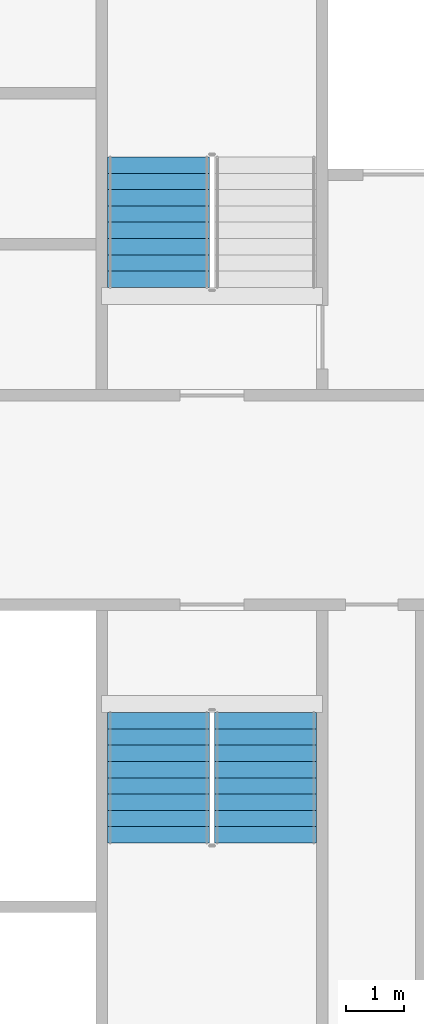
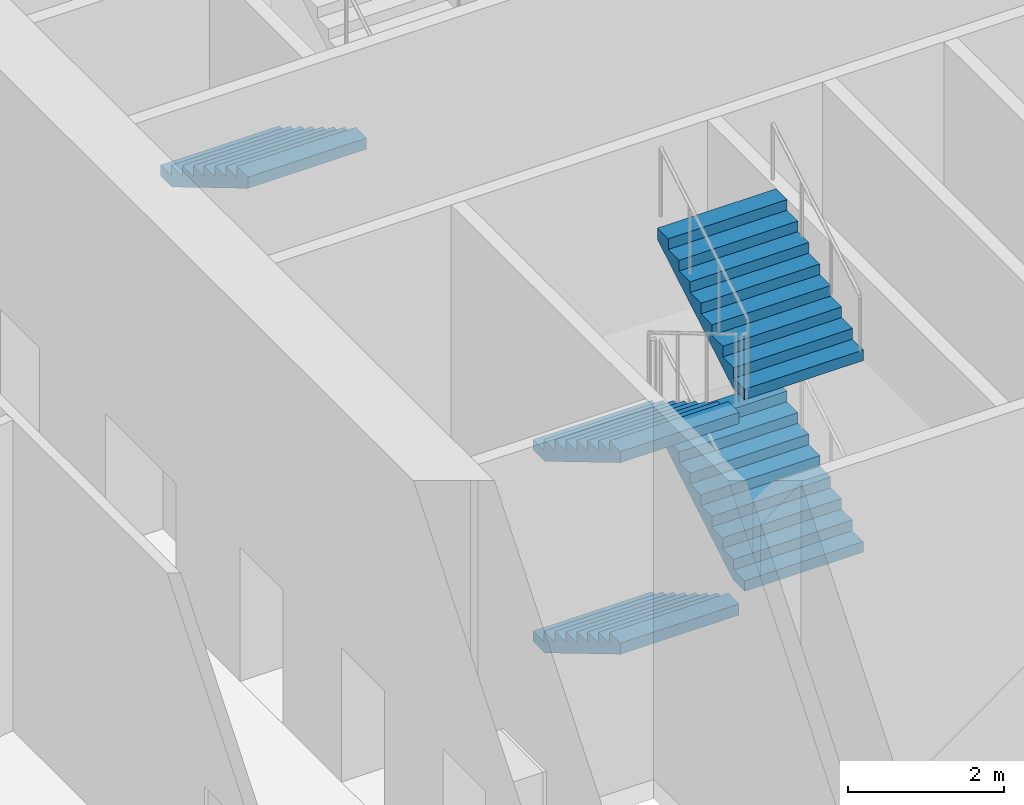
# One storey, part 30 of 39: 5 stair flights, 2 elements without a shape of their own.
"""IFC4 building model written with IfcOpenShell, lengths in metres."""

from ifc_helpers import new_model, si_unit, direction, frame, origin, place, context, subcontext, project, spatial, faceted_brep, material, type_object, element, aggregate, save


model = new_model("IFC4")

# Units and contexts
model_context = context("Model", 3, precision=1e-05, world=origin(), true_north=direction((0.0, 1.0)))
body_context = subcontext(model_context, "Body", "Model", "MODEL_VIEW")
ifc_project = project(units=[si_unit("LENGTHUNIT", "METRE"), si_unit("AREAUNIT", "SQUARE_METRE"), si_unit("VOLUMEUNIT", "CUBIC_METRE"), si_unit("PLANEANGLEUNIT", "RADIAN"), si_unit("MASSUNIT", "GRAM", prefix="KILO")], contexts=[model_context])

# Site, building, storey
site_placement = place(None, origin())
site = spatial("IfcSite", under=ifc_project, at=site_placement, CompositionType="ELEMENT")
building_placement = place(site_placement, origin())
building = spatial("IfcBuilding", under=site, at=building_placement, Name="Tarsis Ring Headquarters", CompositionType="ELEMENT")
storey_placement = place(building_placement, frame((0.0, 0.0, 86.800048828125)))
storey = spatial("IfcBuildingStorey", under=building, at=storey_placement, Name="L19", CompositionType="ELEMENT", Elevation=86.800048828125)

# Stair, stair flight
ifc_material_1 = material(Name="Core stair 1760")
stair_type = type_object("IfcStairType", Name="Core stair 1760", PredefinedType="HALF_TURN_STAIR", material=ifc_material_1)
stair_1_placement = place(storey_placement, origin())
stair_1 = element("IfcStair", 1, at=stair_1_placement, inside=storey, type_object=stair_type, Name="L19 Firefighting stair", PredefinedType="HALF_TURN_STAIR")
ifc_material_2 = material(Name="Concrete C40/50", Category="concrete")
stair_flight_type = type_object("IfcStairFlightType", Name="Core stair flight 1760", PredefinedType="STRAIGHT", material=ifc_material_2)
stair_flight_1_placement = place(storey_placement, frame((-5.419921875, 5.89990234375, 1.5), z_axis=(0.0, 0.0, 1.0), x_axis=(0.0, -1.0, 0.0)))
stair_flight_1 = element("IfcStairFlight", 2, at=stair_flight_1_placement, type_object=stair_flight_type, Name="Stair ST1 flight 2", NumberOfRisers=9, NumberOfTreads=8, PredefinedType="STRAIGHT", RiserHeight=0.166666667, TreadLength=0.28, context=body_context, shape_type="Brep", body=[
    faceted_brep([(0.0, 0.8798828125, 0.0), (0.0, 0.8798828125, 0.166748046875), (0.280029296875, 0.8798828125, 0.166748046875), (0.280029296875, 0.8798828125, 0.333251953125), (0.56005859375, 0.8798828125, 0.333251953125), (0.56005859375, 0.8798828125, 0.5), (0.840087890625, 0.8798828125, 0.5), (0.840087890625, 0.8798828125, 0.666748046875), (1.1201171875, 0.8798828125, 0.666748046875), (1.1201171875, 0.8798828125, 0.833251953125), (1.39990234375, 0.8798828125, 0.833251953125), (1.39990234375, 0.8798828125, 1.0), (1.679931640625, 0.8798828125, 1.0), (1.679931640625, 0.8798828125, 1.166748046875), (1.9599609375, 0.8798828125, 1.166748046875), (1.9599609375, 0.8798828125, 1.333251953125), (2.239990234375, 0.8798828125, 1.333251953125), (2.239990234375, 0.8798828125, 1.158935546875), (0.29296875, 0.8798828125, 0.0), (0.29296875, -0.8798828125, 0.0), (2.239990234375, -0.8798828125, 1.158935546875), (2.239990234375, -0.8798828125, 1.333251953125), (1.9599609375, -0.8798828125, 1.333251953125), (1.9599609375, -0.8798828125, 1.166748046875), (1.679931640625, -0.8798828125, 1.166748046875), (1.679931640625, -0.8798828125, 1.0), (1.39990234375, -0.8798828125, 1.0), (1.39990234375, -0.8798828125, 0.833251953125), (1.1201171875, -0.8798828125, 0.833251953125), (1.1201171875, -0.8798828125, 0.666748046875), (0.840087890625, -0.8798828125, 0.666748046875), (0.840087890625, -0.8798828125, 0.5), (0.56005859375, -0.8798828125, 0.5), (0.56005859375, -0.8798828125, 0.333251953125), (0.280029296875, -0.8798828125, 0.333251953125), (0.280029296875, -0.8798828125, 0.166748046875), (0.0, -0.8798828125, 0.166748046875), (0.0, -0.8798828125, 0.0), (0.0, -0.43994140625, 0.166748046875), (0.0, -0.43994140625, 0.0), (0.0, 0.0, 0.166748046875), (0.0, 0.0, 0.0), (0.0, 0.43994140625, 0.166748046875), (0.0, 0.43994140625, 0.0), (0.280029296875, -0.43994140625, 0.166748046875), (0.280029296875, 0.0, 0.166748046875), (0.280029296875, 0.43994140625, 0.166748046875), (0.280029296875, -0.43994140625, 0.333251953125), (0.280029296875, 0.0, 0.333251953125), (0.280029296875, 0.43994140625, 0.333251953125), (0.56005859375, -0.43994140625, 0.333251953125), (0.56005859375, 0.0, 0.333251953125), (0.56005859375, 0.43994140625, 0.333251953125), (0.56005859375, -0.43994140625, 0.5), (0.56005859375, 0.0, 0.5), (0.56005859375, 0.43994140625, 0.5), (0.840087890625, -0.43994140625, 0.5), (0.840087890625, 0.0, 0.5), (0.840087890625, 0.43994140625, 0.5), (0.840087890625, -0.43994140625, 0.666748046875), (0.840087890625, 0.0, 0.666748046875), (0.840087890625, 0.43994140625, 0.666748046875), (1.1201171875, -0.43994140625, 0.666748046875), (1.1201171875, 0.0, 0.666748046875), (1.1201171875, 0.43994140625, 0.666748046875), (1.1201171875, -0.43994140625, 0.833251953125), (1.1201171875, 0.0, 0.833251953125), (1.1201171875, 0.43994140625, 0.833251953125), (1.39990234375, -0.43994140625, 0.833251953125), (1.39990234375, 0.0, 0.833251953125), (1.39990234375, 0.43994140625, 0.833251953125), (1.39990234375, -0.43994140625, 1.0), (1.39990234375, 0.0, 1.0), (1.39990234375, 0.43994140625, 1.0), (1.679931640625, -0.43994140625, 1.0), (1.679931640625, 0.0, 1.0), (1.679931640625, 0.43994140625, 1.0), (1.679931640625, -0.43994140625, 1.166748046875), (1.679931640625, 0.0, 1.166748046875), (1.679931640625, 0.43994140625, 1.166748046875), (1.9599609375, -0.43994140625, 1.166748046875), (1.9599609375, 0.0, 1.166748046875), (1.9599609375, 0.43994140625, 1.166748046875), (1.9599609375, -0.43994140625, 1.333251953125), (1.9599609375, 0.0, 1.333251953125), (1.9599609375, 0.43994140625, 1.333251953125), (2.239990234375, -0.43994140625, 1.333251953125), (2.239990234375, 0.0, 1.333251953125), (2.239990234375, 0.43994140625, 1.333251953125), (2.239990234375, -0.43994140625, 1.158935546875), (2.239990234375, 0.0, 1.158935546875), (2.239990234375, 0.43994140625, 1.158935546875), (0.29296875, -0.43994140625, 0.0), (0.29296875, 0.0, 0.0), (0.29296875, 0.43994140625, 0.0)], [[[0, 1, 2, 3, 4, 5, 6, 7, 8, 9, 10, 11, 12, 13, 14, 15, 16, 17, 18]], [[19, 20, 21, 22, 23, 24, 25, 26, 27, 28, 29, 30, 31, 32, 33, 34, 35, 36, 37]], [[37, 36, 38, 39]], [[39, 38, 40, 41]], [[41, 40, 42, 43]], [[43, 42, 1, 0]], [[36, 35, 44, 38]], [[38, 44, 45, 40]], [[40, 45, 46, 42]], [[42, 46, 2, 1]], [[35, 34, 47, 44]], [[44, 47, 48, 45]], [[45, 48, 49, 46]], [[46, 49, 3, 2]], [[34, 33, 50, 47]], [[47, 50, 51, 48]], [[48, 51, 52, 49]], [[49, 52, 4, 3]], [[33, 32, 53, 50]], [[50, 53, 54, 51]], [[51, 54, 55, 52]], [[52, 55, 5, 4]], [[32, 31, 56, 53]], [[53, 56, 57, 54]], [[54, 57, 58, 55]], [[55, 58, 6, 5]], [[31, 30, 59, 56]], [[56, 59, 60, 57]], [[57, 60, 61, 58]], [[58, 61, 7, 6]], [[30, 29, 62, 59]], [[59, 62, 63, 60]], [[60, 63, 64, 61]], [[61, 64, 8, 7]], [[29, 28, 65, 62]], [[62, 65, 66, 63]], [[63, 66, 67, 64]], [[64, 67, 9, 8]], [[28, 27, 68, 65]], [[65, 68, 69, 66]], [[66, 69, 70, 67]], [[67, 70, 10, 9]], [[27, 26, 71, 68]], [[68, 71, 72, 69]], [[69, 72, 73, 70]], [[70, 73, 11, 10]], [[26, 25, 74, 71]], [[71, 74, 75, 72]], [[72, 75, 76, 73]], [[73, 76, 12, 11]], [[25, 24, 77, 74]], [[74, 77, 78, 75]], [[75, 78, 79, 76]], [[76, 79, 13, 12]], [[24, 23, 80, 77]], [[77, 80, 81, 78]], [[78, 81, 82, 79]], [[79, 82, 14, 13]], [[23, 22, 83, 80]], [[80, 83, 84, 81]], [[81, 84, 85, 82]], [[82, 85, 15, 14]], [[22, 21, 86, 83]], [[83, 86, 87, 84]], [[84, 87, 88, 85]], [[85, 88, 16, 15]], [[21, 20, 89, 86]], [[86, 89, 90, 87]], [[87, 90, 91, 88]], [[88, 91, 17, 16]], [[20, 19, 92, 89]], [[89, 92, 93, 90]], [[90, 93, 94, 91]], [[91, 94, 18, 17]], [[19, 37, 39, 92]], [[92, 39, 41, 93]], [[93, 41, 43, 94]], [[94, 43, 0, 18]]]),
])
aggregate(stair_1, [stair_flight_1])

# Stair, stair flights
stair_2_placement = place(storey_placement, origin())
stair_2 = element("IfcStair", 3, at=stair_2_placement, inside=storey, type_object=stair_type, Name="L19 Exit stair C", PredefinedType="HALF_TURN_STAIR")
stair_flight_2_placement = place(storey_placement, frame((-5.419921875, -3.659912109375, 0.0), z_axis=(0.0, 0.0, 1.0), x_axis=(0.0, -1.0, 0.0)))
stair_flight_2 = element("IfcStairFlight", 4, at=stair_flight_2_placement, type_object=stair_flight_type, Name="Stair ST3 flight 1", NumberOfRisers=9, NumberOfTreads=8, PredefinedType="STRAIGHT", RiserHeight=0.166666667, TreadLength=0.28, context=body_context, shape_type="Brep", body=[
    faceted_brep([(0.0, 0.8798828125, 0.0), (0.0, 0.8798828125, 0.166748046875), (0.280029296875, 0.8798828125, 0.166748046875), (0.280029296875, 0.8798828125, 0.333251953125), (0.56005859375, 0.8798828125, 0.333251953125), (0.56005859375, 0.8798828125, 0.5), (0.840087890625, 0.8798828125, 0.5), (0.840087890625, 0.8798828125, 0.666748046875), (1.1201171875, 0.8798828125, 0.666748046875), (1.1201171875, 0.8798828125, 0.833251953125), (1.39990234375, 0.8798828125, 0.833251953125), (1.39990234375, 0.8798828125, 1.0), (1.679931640625, 0.8798828125, 1.0), (1.679931640625, 0.8798828125, 1.166748046875), (1.9599609375, 0.8798828125, 1.166748046875), (1.9599609375, 0.8798828125, 1.333251953125), (2.239990234375, 0.8798828125, 1.333251953125), (2.239990234375, 0.8798828125, 1.158935546875), (0.29296875, 0.8798828125, 0.0), (0.29296875, -0.8798828125, 0.0), (2.239990234375, -0.8798828125, 1.158935546875), (2.239990234375, -0.8798828125, 1.333251953125), (1.9599609375, -0.8798828125, 1.333251953125), (1.9599609375, -0.8798828125, 1.166748046875), (1.679931640625, -0.8798828125, 1.166748046875), (1.679931640625, -0.8798828125, 1.0), (1.39990234375, -0.8798828125, 1.0), (1.39990234375, -0.8798828125, 0.833251953125), (1.1201171875, -0.8798828125, 0.833251953125), (1.1201171875, -0.8798828125, 0.666748046875), (0.840087890625, -0.8798828125, 0.666748046875), (0.840087890625, -0.8798828125, 0.5), (0.56005859375, -0.8798828125, 0.5), (0.56005859375, -0.8798828125, 0.333251953125), (0.280029296875, -0.8798828125, 0.333251953125), (0.280029296875, -0.8798828125, 0.166748046875), (0.0, -0.8798828125, 0.166748046875), (0.0, -0.8798828125, 0.0), (0.0, -0.43994140625, 0.166748046875), (0.0, -0.43994140625, 0.0), (0.0, 0.0, 0.166748046875), (0.0, 0.0, 0.0), (0.0, 0.43994140625, 0.166748046875), (0.0, 0.43994140625, 0.0), (0.280029296875, -0.43994140625, 0.166748046875), (0.280029296875, 0.0, 0.166748046875), (0.280029296875, 0.43994140625, 0.166748046875), (0.280029296875, -0.43994140625, 0.333251953125), (0.280029296875, 0.0, 0.333251953125), (0.280029296875, 0.43994140625, 0.333251953125), (0.56005859375, -0.43994140625, 0.333251953125), (0.56005859375, 0.0, 0.333251953125), (0.56005859375, 0.43994140625, 0.333251953125), (0.56005859375, -0.43994140625, 0.5), (0.56005859375, 0.0, 0.5), (0.56005859375, 0.43994140625, 0.5), (0.840087890625, -0.43994140625, 0.5), (0.840087890625, 0.0, 0.5), (0.840087890625, 0.43994140625, 0.5), (0.840087890625, -0.43994140625, 0.666748046875), (0.840087890625, 0.0, 0.666748046875), (0.840087890625, 0.43994140625, 0.666748046875), (1.1201171875, -0.43994140625, 0.666748046875), (1.1201171875, 0.0, 0.666748046875), (1.1201171875, 0.43994140625, 0.666748046875), (1.1201171875, -0.43994140625, 0.833251953125), (1.1201171875, 0.0, 0.833251953125), (1.1201171875, 0.43994140625, 0.833251953125), (1.39990234375, -0.43994140625, 0.833251953125), (1.39990234375, 0.0, 0.833251953125), (1.39990234375, 0.43994140625, 0.833251953125), (1.39990234375, -0.43994140625, 1.0), (1.39990234375, 0.0, 1.0), (1.39990234375, 0.43994140625, 1.0), (1.679931640625, -0.43994140625, 1.0), (1.679931640625, 0.0, 1.0), (1.679931640625, 0.43994140625, 1.0), (1.679931640625, -0.43994140625, 1.166748046875), (1.679931640625, 0.0, 1.166748046875), (1.679931640625, 0.43994140625, 1.166748046875), (1.9599609375, -0.43994140625, 1.166748046875), (1.9599609375, 0.0, 1.166748046875), (1.9599609375, 0.43994140625, 1.166748046875), (1.9599609375, -0.43994140625, 1.333251953125), (1.9599609375, 0.0, 1.333251953125), (1.9599609375, 0.43994140625, 1.333251953125), (2.239990234375, -0.43994140625, 1.333251953125), (2.239990234375, 0.0, 1.333251953125), (2.239990234375, 0.43994140625, 1.333251953125), (2.239990234375, -0.43994140625, 1.158935546875), (2.239990234375, 0.0, 1.158935546875), (2.239990234375, 0.43994140625, 1.158935546875), (0.29296875, -0.43994140625, 0.0), (0.29296875, 0.0, 0.0), (0.29296875, 0.43994140625, 0.0)], [[[0, 1, 2, 3, 4, 5, 6, 7, 8, 9, 10, 11, 12, 13, 14, 15, 16, 17, 18]], [[19, 20, 21, 22, 23, 24, 25, 26, 27, 28, 29, 30, 31, 32, 33, 34, 35, 36, 37]], [[37, 36, 38, 39]], [[39, 38, 40, 41]], [[41, 40, 42, 43]], [[43, 42, 1, 0]], [[36, 35, 44, 38]], [[38, 44, 45, 40]], [[40, 45, 46, 42]], [[42, 46, 2, 1]], [[35, 34, 47, 44]], [[44, 47, 48, 45]], [[45, 48, 49, 46]], [[46, 49, 3, 2]], [[34, 33, 50, 47]], [[47, 50, 51, 48]], [[48, 51, 52, 49]], [[49, 52, 4, 3]], [[33, 32, 53, 50]], [[50, 53, 54, 51]], [[51, 54, 55, 52]], [[52, 55, 5, 4]], [[32, 31, 56, 53]], [[53, 56, 57, 54]], [[54, 57, 58, 55]], [[55, 58, 6, 5]], [[31, 30, 59, 56]], [[56, 59, 60, 57]], [[57, 60, 61, 58]], [[58, 61, 7, 6]], [[30, 29, 62, 59]], [[59, 62, 63, 60]], [[60, 63, 64, 61]], [[61, 64, 8, 7]], [[29, 28, 65, 62]], [[62, 65, 66, 63]], [[63, 66, 67, 64]], [[64, 67, 9, 8]], [[28, 27, 68, 65]], [[65, 68, 69, 66]], [[66, 69, 70, 67]], [[67, 70, 10, 9]], [[27, 26, 71, 68]], [[68, 71, 72, 69]], [[69, 72, 73, 70]], [[70, 73, 11, 10]], [[26, 25, 74, 71]], [[71, 74, 75, 72]], [[72, 75, 76, 73]], [[73, 76, 12, 11]], [[25, 24, 77, 74]], [[74, 77, 78, 75]], [[75, 78, 79, 76]], [[76, 79, 13, 12]], [[24, 23, 80, 77]], [[77, 80, 81, 78]], [[78, 81, 82, 79]], [[79, 82, 14, 13]], [[23, 22, 83, 80]], [[80, 83, 84, 81]], [[81, 84, 85, 82]], [[82, 85, 15, 14]], [[22, 21, 86, 83]], [[83, 86, 87, 84]], [[84, 87, 88, 85]], [[85, 88, 16, 15]], [[21, 20, 89, 86]], [[86, 89, 90, 87]], [[87, 90, 91, 88]], [[88, 91, 17, 16]], [[20, 19, 92, 89]], [[89, 92, 93, 90]], [[90, 93, 94, 91]], [[91, 94, 18, 17]], [[19, 37, 39, 92]], [[92, 39, 41, 93]], [[93, 41, 43, 94]], [[94, 43, 0, 18]]]),
])
stair_flight_3_placement = place(storey_placement, frame((-3.580078125, -5.89990234375, 1.5), z_axis=(0.0, 0.0, 1.0), x_axis=(0.0, 1.0, 0.0)))
stair_flight_3 = element("IfcStairFlight", 5, at=stair_flight_3_placement, type_object=stair_flight_type, Name="Stair ST3 flight 2", NumberOfRisers=9, NumberOfTreads=8, PredefinedType="STRAIGHT", RiserHeight=0.166666667, TreadLength=0.28, context=body_context, shape_type="Brep", body=[
    faceted_brep([(0.0, 0.8798828125, 0.0), (0.0, 0.8798828125, 0.166748046875), (0.280029296875, 0.8798828125, 0.166748046875), (0.280029296875, 0.8798828125, 0.333251953125), (0.56005859375, 0.8798828125, 0.333251953125), (0.56005859375, 0.8798828125, 0.5), (0.840087890625, 0.8798828125, 0.5), (0.840087890625, 0.8798828125, 0.666748046875), (1.1201171875, 0.8798828125, 0.666748046875), (1.1201171875, 0.8798828125, 0.833251953125), (1.39990234375, 0.8798828125, 0.833251953125), (1.39990234375, 0.8798828125, 1.0), (1.679931640625, 0.8798828125, 1.0), (1.679931640625, 0.8798828125, 1.166748046875), (1.9599609375, 0.8798828125, 1.166748046875), (1.9599609375, 0.8798828125, 1.333251953125), (2.239990234375, 0.8798828125, 1.333251953125), (2.239990234375, 0.8798828125, 1.158935546875), (0.29296875, 0.8798828125, 0.0), (0.29296875, -0.8798828125, 0.0), (2.239990234375, -0.8798828125, 1.158935546875), (2.239990234375, -0.8798828125, 1.333251953125), (1.9599609375, -0.8798828125, 1.333251953125), (1.9599609375, -0.8798828125, 1.166748046875), (1.679931640625, -0.8798828125, 1.166748046875), (1.679931640625, -0.8798828125, 1.0), (1.39990234375, -0.8798828125, 1.0), (1.39990234375, -0.8798828125, 0.833251953125), (1.1201171875, -0.8798828125, 0.833251953125), (1.1201171875, -0.8798828125, 0.666748046875), (0.840087890625, -0.8798828125, 0.666748046875), (0.840087890625, -0.8798828125, 0.5), (0.56005859375, -0.8798828125, 0.5), (0.56005859375, -0.8798828125, 0.333251953125), (0.280029296875, -0.8798828125, 0.333251953125), (0.280029296875, -0.8798828125, 0.166748046875), (0.0, -0.8798828125, 0.166748046875), (0.0, -0.8798828125, 0.0), (0.0, -0.43994140625, 0.166748046875), (0.0, -0.43994140625, 0.0), (0.0, 0.0, 0.166748046875), (0.0, 0.0, 0.0), (0.0, 0.43994140625, 0.166748046875), (0.0, 0.43994140625, 0.0), (0.280029296875, -0.43994140625, 0.166748046875), (0.280029296875, 0.0, 0.166748046875), (0.280029296875, 0.43994140625, 0.166748046875), (0.280029296875, -0.43994140625, 0.333251953125), (0.280029296875, 0.0, 0.333251953125), (0.280029296875, 0.43994140625, 0.333251953125), (0.56005859375, -0.43994140625, 0.333251953125), (0.56005859375, 0.0, 0.333251953125), (0.56005859375, 0.43994140625, 0.333251953125), (0.56005859375, -0.43994140625, 0.5), (0.56005859375, 0.0, 0.5), (0.56005859375, 0.43994140625, 0.5), (0.840087890625, -0.43994140625, 0.5), (0.840087890625, 0.0, 0.5), (0.840087890625, 0.43994140625, 0.5), (0.840087890625, -0.43994140625, 0.666748046875), (0.840087890625, 0.0, 0.666748046875), (0.840087890625, 0.43994140625, 0.666748046875), (1.1201171875, -0.43994140625, 0.666748046875), (1.1201171875, 0.0, 0.666748046875), (1.1201171875, 0.43994140625, 0.666748046875), (1.1201171875, -0.43994140625, 0.833251953125), (1.1201171875, 0.0, 0.833251953125), (1.1201171875, 0.43994140625, 0.833251953125), (1.39990234375, -0.43994140625, 0.833251953125), (1.39990234375, 0.0, 0.833251953125), (1.39990234375, 0.43994140625, 0.833251953125), (1.39990234375, -0.43994140625, 1.0), (1.39990234375, 0.0, 1.0), (1.39990234375, 0.43994140625, 1.0), (1.679931640625, -0.43994140625, 1.0), (1.679931640625, 0.0, 1.0), (1.679931640625, 0.43994140625, 1.0), (1.679931640625, -0.43994140625, 1.166748046875), (1.679931640625, 0.0, 1.166748046875), (1.679931640625, 0.43994140625, 1.166748046875), (1.9599609375, -0.43994140625, 1.166748046875), (1.9599609375, 0.0, 1.166748046875), (1.9599609375, 0.43994140625, 1.166748046875), (1.9599609375, -0.43994140625, 1.333251953125), (1.9599609375, 0.0, 1.333251953125), (1.9599609375, 0.43994140625, 1.333251953125), (2.239990234375, -0.43994140625, 1.333251953125), (2.239990234375, 0.0, 1.333251953125), (2.239990234375, 0.43994140625, 1.333251953125), (2.239990234375, -0.43994140625, 1.158935546875), (2.239990234375, 0.0, 1.158935546875), (2.239990234375, 0.43994140625, 1.158935546875), (0.29296875, -0.43994140625, 0.0), (0.29296875, 0.0, 0.0), (0.29296875, 0.43994140625, 0.0)], [[[0, 1, 2, 3, 4, 5, 6, 7, 8, 9, 10, 11, 12, 13, 14, 15, 16, 17, 18]], [[19, 20, 21, 22, 23, 24, 25, 26, 27, 28, 29, 30, 31, 32, 33, 34, 35, 36, 37]], [[37, 36, 38, 39]], [[39, 38, 40, 41]], [[41, 40, 42, 43]], [[43, 42, 1, 0]], [[36, 35, 44, 38]], [[38, 44, 45, 40]], [[40, 45, 46, 42]], [[42, 46, 2, 1]], [[35, 34, 47, 44]], [[44, 47, 48, 45]], [[45, 48, 49, 46]], [[46, 49, 3, 2]], [[34, 33, 50, 47]], [[47, 50, 51, 48]], [[48, 51, 52, 49]], [[49, 52, 4, 3]], [[33, 32, 53, 50]], [[50, 53, 54, 51]], [[51, 54, 55, 52]], [[52, 55, 5, 4]], [[32, 31, 56, 53]], [[53, 56, 57, 54]], [[54, 57, 58, 55]], [[55, 58, 6, 5]], [[31, 30, 59, 56]], [[56, 59, 60, 57]], [[57, 60, 61, 58]], [[58, 61, 7, 6]], [[30, 29, 62, 59]], [[59, 62, 63, 60]], [[60, 63, 64, 61]], [[61, 64, 8, 7]], [[29, 28, 65, 62]], [[62, 65, 66, 63]], [[63, 66, 67, 64]], [[64, 67, 9, 8]], [[28, 27, 68, 65]], [[65, 68, 69, 66]], [[66, 69, 70, 67]], [[67, 70, 10, 9]], [[27, 26, 71, 68]], [[68, 71, 72, 69]], [[69, 72, 73, 70]], [[70, 73, 11, 10]], [[26, 25, 74, 71]], [[71, 74, 75, 72]], [[72, 75, 76, 73]], [[73, 76, 12, 11]], [[25, 24, 77, 74]], [[74, 77, 78, 75]], [[75, 78, 79, 76]], [[76, 79, 13, 12]], [[24, 23, 80, 77]], [[77, 80, 81, 78]], [[78, 81, 82, 79]], [[79, 82, 14, 13]], [[23, 22, 83, 80]], [[80, 83, 84, 81]], [[81, 84, 85, 82]], [[82, 85, 15, 14]], [[22, 21, 86, 83]], [[83, 86, 87, 84]], [[84, 87, 88, 85]], [[85, 88, 16, 15]], [[21, 20, 89, 86]], [[86, 89, 90, 87]], [[87, 90, 91, 88]], [[88, 91, 17, 16]], [[20, 19, 92, 89]], [[89, 92, 93, 90]], [[90, 93, 94, 91]], [[91, 94, 18, 17]], [[19, 37, 39, 92]], [[92, 39, 41, 93]], [[93, 41, 43, 94]], [[94, 43, 0, 18]]]),
])
stair_flight_4_placement = place(storey_placement, frame((-5.419921875, -3.659912109375, 3.0), z_axis=(0.0, 0.0, 1.0), x_axis=(0.0, -1.0, 0.0)))
stair_flight_4 = element("IfcStairFlight", 6, at=stair_flight_4_placement, type_object=stair_flight_type, Name="Stair ST3 flight 3", NumberOfRisers=9, NumberOfTreads=8, PredefinedType="STRAIGHT", RiserHeight=0.166666667, TreadLength=0.28, context=body_context, shape_type="Brep", body=[
    faceted_brep([(0.0, 0.8798828125, 0.0), (0.0, 0.8798828125, 0.166748046875), (0.280029296875, 0.8798828125, 0.166748046875), (0.280029296875, 0.8798828125, 0.333251953125), (0.56005859375, 0.8798828125, 0.333251953125), (0.56005859375, 0.8798828125, 0.5), (0.840087890625, 0.8798828125, 0.5), (0.840087890625, 0.8798828125, 0.666748046875), (1.1201171875, 0.8798828125, 0.666748046875), (1.1201171875, 0.8798828125, 0.833251953125), (1.39990234375, 0.8798828125, 0.833251953125), (1.39990234375, 0.8798828125, 1.0), (1.679931640625, 0.8798828125, 1.0), (1.679931640625, 0.8798828125, 1.166748046875), (1.9599609375, 0.8798828125, 1.166748046875), (1.9599609375, 0.8798828125, 1.333251953125), (2.239990234375, 0.8798828125, 1.333251953125), (2.239990234375, 0.8798828125, 1.158935546875), (0.29296875, 0.8798828125, 0.0), (0.29296875, -0.8798828125, 0.0), (2.239990234375, -0.8798828125, 1.158935546875), (2.239990234375, -0.8798828125, 1.333251953125), (1.9599609375, -0.8798828125, 1.333251953125), (1.9599609375, -0.8798828125, 1.166748046875), (1.679931640625, -0.8798828125, 1.166748046875), (1.679931640625, -0.8798828125, 1.0), (1.39990234375, -0.8798828125, 1.0), (1.39990234375, -0.8798828125, 0.833251953125), (1.1201171875, -0.8798828125, 0.833251953125), (1.1201171875, -0.8798828125, 0.666748046875), (0.840087890625, -0.8798828125, 0.666748046875), (0.840087890625, -0.8798828125, 0.5), (0.56005859375, -0.8798828125, 0.5), (0.56005859375, -0.8798828125, 0.333251953125), (0.280029296875, -0.8798828125, 0.333251953125), (0.280029296875, -0.8798828125, 0.166748046875), (0.0, -0.8798828125, 0.166748046875), (0.0, -0.8798828125, 0.0), (0.0, -0.43994140625, 0.166748046875), (0.0, -0.43994140625, 0.0), (0.0, 0.0, 0.166748046875), (0.0, 0.0, 0.0), (0.0, 0.43994140625, 0.166748046875), (0.0, 0.43994140625, 0.0), (0.280029296875, -0.43994140625, 0.166748046875), (0.280029296875, 0.0, 0.166748046875), (0.280029296875, 0.43994140625, 0.166748046875), (0.280029296875, -0.43994140625, 0.333251953125), (0.280029296875, 0.0, 0.333251953125), (0.280029296875, 0.43994140625, 0.333251953125), (0.56005859375, -0.43994140625, 0.333251953125), (0.56005859375, 0.0, 0.333251953125), (0.56005859375, 0.43994140625, 0.333251953125), (0.56005859375, -0.43994140625, 0.5), (0.56005859375, 0.0, 0.5), (0.56005859375, 0.43994140625, 0.5), (0.840087890625, -0.43994140625, 0.5), (0.840087890625, 0.0, 0.5), (0.840087890625, 0.43994140625, 0.5), (0.840087890625, -0.43994140625, 0.666748046875), (0.840087890625, 0.0, 0.666748046875), (0.840087890625, 0.43994140625, 0.666748046875), (1.1201171875, -0.43994140625, 0.666748046875), (1.1201171875, 0.0, 0.666748046875), (1.1201171875, 0.43994140625, 0.666748046875), (1.1201171875, -0.43994140625, 0.833251953125), (1.1201171875, 0.0, 0.833251953125), (1.1201171875, 0.43994140625, 0.833251953125), (1.39990234375, -0.43994140625, 0.833251953125), (1.39990234375, 0.0, 0.833251953125), (1.39990234375, 0.43994140625, 0.833251953125), (1.39990234375, -0.43994140625, 1.0), (1.39990234375, 0.0, 1.0), (1.39990234375, 0.43994140625, 1.0), (1.679931640625, -0.43994140625, 1.0), (1.679931640625, 0.0, 1.0), (1.679931640625, 0.43994140625, 1.0), (1.679931640625, -0.43994140625, 1.166748046875), (1.679931640625, 0.0, 1.166748046875), (1.679931640625, 0.43994140625, 1.166748046875), (1.9599609375, -0.43994140625, 1.166748046875), (1.9599609375, 0.0, 1.166748046875), (1.9599609375, 0.43994140625, 1.166748046875), (1.9599609375, -0.43994140625, 1.333251953125), (1.9599609375, 0.0, 1.333251953125), (1.9599609375, 0.43994140625, 1.333251953125), (2.239990234375, -0.43994140625, 1.333251953125), (2.239990234375, 0.0, 1.333251953125), (2.239990234375, 0.43994140625, 1.333251953125), (2.239990234375, -0.43994140625, 1.158935546875), (2.239990234375, 0.0, 1.158935546875), (2.239990234375, 0.43994140625, 1.158935546875), (0.29296875, -0.43994140625, 0.0), (0.29296875, 0.0, 0.0), (0.29296875, 0.43994140625, 0.0)], [[[0, 1, 2, 3, 4, 5, 6, 7, 8, 9, 10, 11, 12, 13, 14, 15, 16, 17, 18]], [[19, 20, 21, 22, 23, 24, 25, 26, 27, 28, 29, 30, 31, 32, 33, 34, 35, 36, 37]], [[37, 36, 38, 39]], [[39, 38, 40, 41]], [[41, 40, 42, 43]], [[43, 42, 1, 0]], [[36, 35, 44, 38]], [[38, 44, 45, 40]], [[40, 45, 46, 42]], [[42, 46, 2, 1]], [[35, 34, 47, 44]], [[44, 47, 48, 45]], [[45, 48, 49, 46]], [[46, 49, 3, 2]], [[34, 33, 50, 47]], [[47, 50, 51, 48]], [[48, 51, 52, 49]], [[49, 52, 4, 3]], [[33, 32, 53, 50]], [[50, 53, 54, 51]], [[51, 54, 55, 52]], [[52, 55, 5, 4]], [[32, 31, 56, 53]], [[53, 56, 57, 54]], [[54, 57, 58, 55]], [[55, 58, 6, 5]], [[31, 30, 59, 56]], [[56, 59, 60, 57]], [[57, 60, 61, 58]], [[58, 61, 7, 6]], [[30, 29, 62, 59]], [[59, 62, 63, 60]], [[60, 63, 64, 61]], [[61, 64, 8, 7]], [[29, 28, 65, 62]], [[62, 65, 66, 63]], [[63, 66, 67, 64]], [[64, 67, 9, 8]], [[28, 27, 68, 65]], [[65, 68, 69, 66]], [[66, 69, 70, 67]], [[67, 70, 10, 9]], [[27, 26, 71, 68]], [[68, 71, 72, 69]], [[69, 72, 73, 70]], [[70, 73, 11, 10]], [[26, 25, 74, 71]], [[71, 74, 75, 72]], [[72, 75, 76, 73]], [[73, 76, 12, 11]], [[25, 24, 77, 74]], [[74, 77, 78, 75]], [[75, 78, 79, 76]], [[76, 79, 13, 12]], [[24, 23, 80, 77]], [[77, 80, 81, 78]], [[78, 81, 82, 79]], [[79, 82, 14, 13]], [[23, 22, 83, 80]], [[80, 83, 84, 81]], [[81, 84, 85, 82]], [[82, 85, 15, 14]], [[22, 21, 86, 83]], [[83, 86, 87, 84]], [[84, 87, 88, 85]], [[85, 88, 16, 15]], [[21, 20, 89, 86]], [[86, 89, 90, 87]], [[87, 90, 91, 88]], [[88, 91, 17, 16]], [[20, 19, 92, 89]], [[89, 92, 93, 90]], [[90, 93, 94, 91]], [[91, 94, 18, 17]], [[19, 37, 39, 92]], [[92, 39, 41, 93]], [[93, 41, 43, 94]], [[94, 43, 0, 18]]]),
])
stair_flight_5_placement = place(storey_placement, frame((-3.580078125, -5.89990234375, 4.5), z_axis=(0.0, 0.0, 1.0), x_axis=(0.0, 1.0, 0.0)))
stair_flight_5 = element("IfcStairFlight", 7, at=stair_flight_5_placement, type_object=stair_flight_type, Name="Stair ST3 flight 4", NumberOfRisers=9, NumberOfTreads=8, PredefinedType="STRAIGHT", RiserHeight=0.166666667, TreadLength=0.28, context=body_context, shape_type="Brep", body=[
    faceted_brep([(0.0, 0.8798828125, 0.0), (0.0, 0.8798828125, 0.166748046875), (0.280029296875, 0.8798828125, 0.166748046875), (0.280029296875, 0.8798828125, 0.333251953125), (0.56005859375, 0.8798828125, 0.333251953125), (0.56005859375, 0.8798828125, 0.5), (0.840087890625, 0.8798828125, 0.5), (0.840087890625, 0.8798828125, 0.666748046875), (1.1201171875, 0.8798828125, 0.666748046875), (1.1201171875, 0.8798828125, 0.833251953125), (1.39990234375, 0.8798828125, 0.833251953125), (1.39990234375, 0.8798828125, 1.0), (1.679931640625, 0.8798828125, 1.0), (1.679931640625, 0.8798828125, 1.166748046875), (1.9599609375, 0.8798828125, 1.166748046875), (1.9599609375, 0.8798828125, 1.333251953125), (2.239990234375, 0.8798828125, 1.333251953125), (2.239990234375, 0.8798828125, 1.158935546875), (0.29296875, 0.8798828125, 0.0), (0.29296875, -0.8798828125, 0.0), (2.239990234375, -0.8798828125, 1.158935546875), (2.239990234375, -0.8798828125, 1.333251953125), (1.9599609375, -0.8798828125, 1.333251953125), (1.9599609375, -0.8798828125, 1.166748046875), (1.679931640625, -0.8798828125, 1.166748046875), (1.679931640625, -0.8798828125, 1.0), (1.39990234375, -0.8798828125, 1.0), (1.39990234375, -0.8798828125, 0.833251953125), (1.1201171875, -0.8798828125, 0.833251953125), (1.1201171875, -0.8798828125, 0.666748046875), (0.840087890625, -0.8798828125, 0.666748046875), (0.840087890625, -0.8798828125, 0.5), (0.56005859375, -0.8798828125, 0.5), (0.56005859375, -0.8798828125, 0.333251953125), (0.280029296875, -0.8798828125, 0.333251953125), (0.280029296875, -0.8798828125, 0.166748046875), (0.0, -0.8798828125, 0.166748046875), (0.0, -0.8798828125, 0.0), (0.0, -0.43994140625, 0.166748046875), (0.0, -0.43994140625, 0.0), (0.0, 0.0, 0.166748046875), (0.0, 0.0, 0.0), (0.0, 0.43994140625, 0.166748046875), (0.0, 0.43994140625, 0.0), (0.280029296875, -0.43994140625, 0.166748046875), (0.280029296875, 0.0, 0.166748046875), (0.280029296875, 0.43994140625, 0.166748046875), (0.280029296875, -0.43994140625, 0.333251953125), (0.280029296875, 0.0, 0.333251953125), (0.280029296875, 0.43994140625, 0.333251953125), (0.56005859375, -0.43994140625, 0.333251953125), (0.56005859375, 0.0, 0.333251953125), (0.56005859375, 0.43994140625, 0.333251953125), (0.56005859375, -0.43994140625, 0.5), (0.56005859375, 0.0, 0.5), (0.56005859375, 0.43994140625, 0.5), (0.840087890625, -0.43994140625, 0.5), (0.840087890625, 0.0, 0.5), (0.840087890625, 0.43994140625, 0.5), (0.840087890625, -0.43994140625, 0.666748046875), (0.840087890625, 0.0, 0.666748046875), (0.840087890625, 0.43994140625, 0.666748046875), (1.1201171875, -0.43994140625, 0.666748046875), (1.1201171875, 0.0, 0.666748046875), (1.1201171875, 0.43994140625, 0.666748046875), (1.1201171875, -0.43994140625, 0.833251953125), (1.1201171875, 0.0, 0.833251953125), (1.1201171875, 0.43994140625, 0.833251953125), (1.39990234375, -0.43994140625, 0.833251953125), (1.39990234375, 0.0, 0.833251953125), (1.39990234375, 0.43994140625, 0.833251953125), (1.39990234375, -0.43994140625, 1.0), (1.39990234375, 0.0, 1.0), (1.39990234375, 0.43994140625, 1.0), (1.679931640625, -0.43994140625, 1.0), (1.679931640625, 0.0, 1.0), (1.679931640625, 0.43994140625, 1.0), (1.679931640625, -0.43994140625, 1.166748046875), (1.679931640625, 0.0, 1.166748046875), (1.679931640625, 0.43994140625, 1.166748046875), (1.9599609375, -0.43994140625, 1.166748046875), (1.9599609375, 0.0, 1.166748046875), (1.9599609375, 0.43994140625, 1.166748046875), (1.9599609375, -0.43994140625, 1.333251953125), (1.9599609375, 0.0, 1.333251953125), (1.9599609375, 0.43994140625, 1.333251953125), (2.239990234375, -0.43994140625, 1.333251953125), (2.239990234375, 0.0, 1.333251953125), (2.239990234375, 0.43994140625, 1.333251953125), (2.239990234375, -0.43994140625, 1.158935546875), (2.239990234375, 0.0, 1.158935546875), (2.239990234375, 0.43994140625, 1.158935546875), (0.29296875, -0.43994140625, 0.0), (0.29296875, 0.0, 0.0), (0.29296875, 0.43994140625, 0.0)], [[[0, 1, 2, 3, 4, 5, 6, 7, 8, 9, 10, 11, 12, 13, 14, 15, 16, 17, 18]], [[19, 20, 21, 22, 23, 24, 25, 26, 27, 28, 29, 30, 31, 32, 33, 34, 35, 36, 37]], [[37, 36, 38, 39]], [[39, 38, 40, 41]], [[41, 40, 42, 43]], [[43, 42, 1, 0]], [[36, 35, 44, 38]], [[38, 44, 45, 40]], [[40, 45, 46, 42]], [[42, 46, 2, 1]], [[35, 34, 47, 44]], [[44, 47, 48, 45]], [[45, 48, 49, 46]], [[46, 49, 3, 2]], [[34, 33, 50, 47]], [[47, 50, 51, 48]], [[48, 51, 52, 49]], [[49, 52, 4, 3]], [[33, 32, 53, 50]], [[50, 53, 54, 51]], [[51, 54, 55, 52]], [[52, 55, 5, 4]], [[32, 31, 56, 53]], [[53, 56, 57, 54]], [[54, 57, 58, 55]], [[55, 58, 6, 5]], [[31, 30, 59, 56]], [[56, 59, 60, 57]], [[57, 60, 61, 58]], [[58, 61, 7, 6]], [[30, 29, 62, 59]], [[59, 62, 63, 60]], [[60, 63, 64, 61]], [[61, 64, 8, 7]], [[29, 28, 65, 62]], [[62, 65, 66, 63]], [[63, 66, 67, 64]], [[64, 67, 9, 8]], [[28, 27, 68, 65]], [[65, 68, 69, 66]], [[66, 69, 70, 67]], [[67, 70, 10, 9]], [[27, 26, 71, 68]], [[68, 71, 72, 69]], [[69, 72, 73, 70]], [[70, 73, 11, 10]], [[26, 25, 74, 71]], [[71, 74, 75, 72]], [[72, 75, 76, 73]], [[73, 76, 12, 11]], [[25, 24, 77, 74]], [[74, 77, 78, 75]], [[75, 78, 79, 76]], [[76, 79, 13, 12]], [[24, 23, 80, 77]], [[77, 80, 81, 78]], [[78, 81, 82, 79]], [[79, 82, 14, 13]], [[23, 22, 83, 80]], [[80, 83, 84, 81]], [[81, 84, 85, 82]], [[82, 85, 15, 14]], [[22, 21, 86, 83]], [[83, 86, 87, 84]], [[84, 87, 88, 85]], [[85, 88, 16, 15]], [[21, 20, 89, 86]], [[86, 89, 90, 87]], [[87, 90, 91, 88]], [[88, 91, 17, 16]], [[20, 19, 92, 89]], [[89, 92, 93, 90]], [[90, 93, 94, 91]], [[91, 94, 18, 17]], [[19, 37, 39, 92]], [[92, 39, 41, 93]], [[93, 41, 43, 94]], [[94, 43, 0, 18]]]),
])
aggregate(stair_2, [stair_flight_2, stair_flight_3, stair_flight_4, stair_flight_5])

save(model, "model.ifc")
